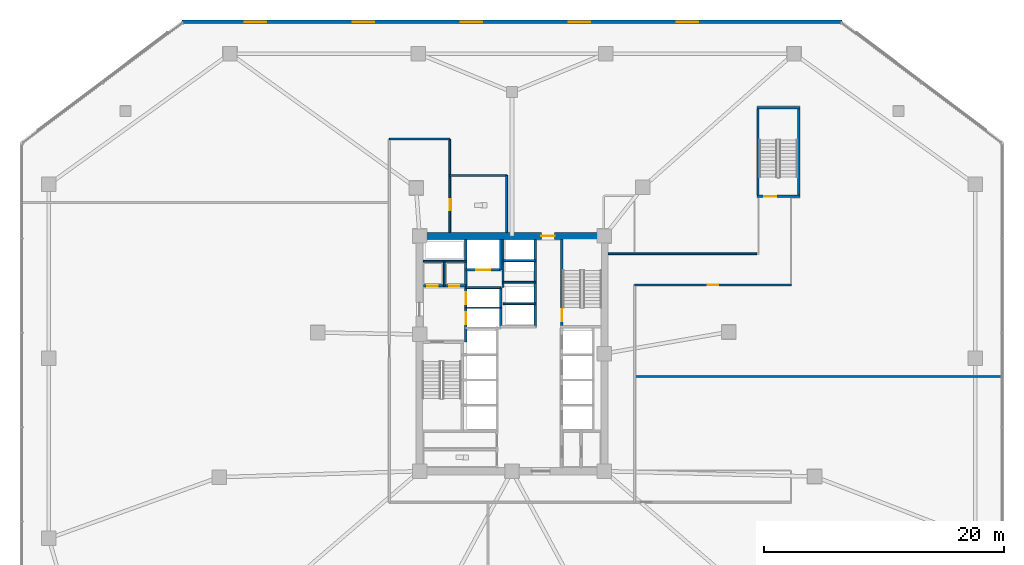
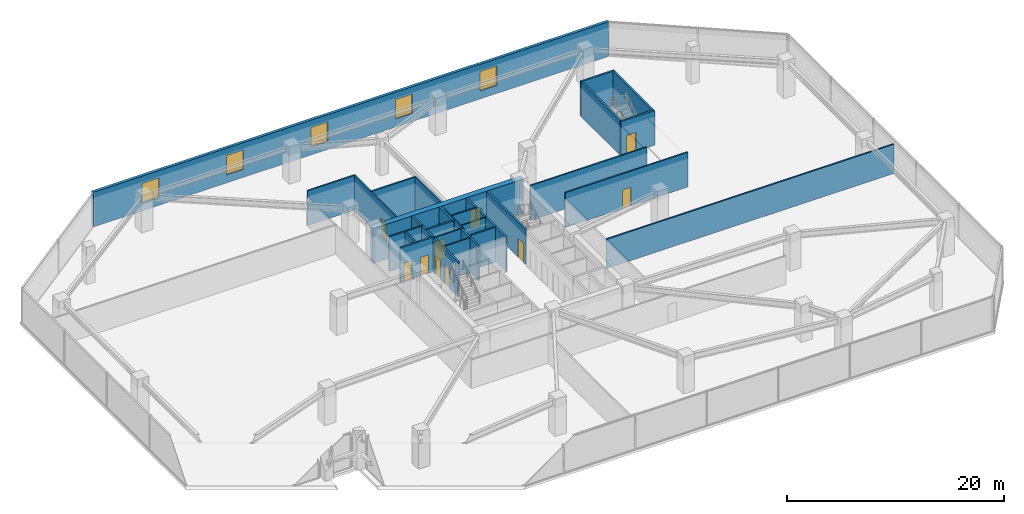
# One storey, part 12 of 21: 28 walls, 10 doors, 5 windows, 15 openings.
"""IFC4 building model written with IfcOpenShell, lengths in metres."""

import ifcopenshell
import ifcopenshell.guid

model = None  # the IFC model being written
_history = None  # IfcOwnerHistory: only IFC2X3 demands one
_inside = {}  # id of a spatial element -> (the spatial element, [elements in it])
_under = {}  # id of a project, library or spatial element -> (it, [spatial elements below it])
_declared = {}  # id of a project -> (the project, [libraries it declares])
_typed = {}  # id of a type object -> (the type object, [elements of that type])
_made_of = {}  # id of a material, layer set ... -> (it, [elements and type objects made of it])


def new_model(schema):
    """Start an empty IFC model of exactly this schema.

    Asked for "IFC4X3", IfcOpenShell would pick the latest addendum, in which some entities
    have other attributes; the version numbers below select the first issue.
    IFC2X3 requires an IfcOwnerHistory on every rooted entity: one is made here for all.
    """
    global model, _history
    if schema == "IFC4X3":
        model = ifcopenshell.file(schema_version=(4, 3, 0, 0))
    else:
        model = ifcopenshell.file(schema=schema)
    _inside.clear()
    _under.clear()
    _declared.clear()
    _typed.clear()
    _made_of.clear()
    _history = None
    if model.schema == "IFC2X3":
        org = make("IfcOrganization", Name="unknown")
        user = make(
            "IfcPersonAndOrganization",
            ThePerson=make("IfcPerson", FamilyName="unknown"),
            TheOrganization=org,
        )
        app = make(
            "IfcApplication",
            ApplicationDeveloper=org,
            Version="unknown",
            ApplicationFullName="unknown",
            ApplicationIdentifier="unknown",
        )
        _history = make(
            "IfcOwnerHistory",
            OwningUser=user,
            OwningApplication=app,
            ChangeAction="ADDED",
            CreationDate=0,
        )
    return model


def make(cls, **values):
    """One entity of the class cls with the attributes given. An attribute that is None is left unset."""
    return model.create_entity(
        cls, **{name: value for name, value in values.items() if value is not None}
    )


def rooted(cls, **values):
    """An entity with a GlobalId (a new one), such as an element, a storey or a relation."""
    return make(cls, GlobalId=ifcopenshell.guid.new(), OwnerHistory=_history, **values)


def si_unit(unit_type, name, prefix=None):
    """IfcSIUnit, for example si_unit("LENGTHUNIT", "METRE", prefix="MILLI")."""
    return make("IfcSIUnit", UnitType=unit_type, Prefix=prefix, Name=name)


def assignment(units):
    """IfcUnitAssignment: the units of a project."""
    return None if units is None else make("IfcUnitAssignment", Units=units)


def point(xyz):
    """IfcCartesianPoint."""
    return None if xyz is None else make("IfcCartesianPoint", Coordinates=xyz)


def direction(xyz):
    """IfcDirection."""
    return None if xyz is None else make("IfcDirection", DirectionRatios=xyz)


def frame(location, z_axis=None, x_axis=None):
    """IfcAxis2Placement3D, a coordinate frame: its origin and axes. An axis left out is left unset."""
    return make(
        "IfcAxis2Placement3D",
        Location=point(location),
        Axis=direction(z_axis),
        RefDirection=direction(x_axis),
    )


def frame_2d(location, x_axis=None):
    """IfcAxis2Placement2D, a coordinate frame in the plane: its origin and x axis."""
    return make(
        "IfcAxis2Placement2D", Location=point(location), RefDirection=direction(x_axis)
    )


def origin():
    """The frame at (0, 0, 0) with its axes left unset."""
    return frame((0.0, 0.0, 0.0))


def place(relative_to, where):
    """IfcLocalPlacement: puts the frame where relative to a parent placement (None: the world)."""
    return make(
        "IfcLocalPlacement", PlacementRelTo=relative_to, RelativePlacement=where
    )


def context(
    kind, dimensions, precision=None, world=None, true_north=None, identifier=None
):
    """IfcGeometricRepresentationContext, for example the 3D "Model" context."""
    return make(
        "IfcGeometricRepresentationContext",
        ContextIdentifier=identifier,
        ContextType=kind,
        CoordinateSpaceDimension=dimensions,
        Precision=precision,
        WorldCoordinateSystem=world,
        TrueNorth=true_north,
    )


def subcontext(parent, identifier, kind, view, scale=None):
    """IfcGeometricRepresentationSubContext, for example "Body" below "Model"."""
    return make(
        "IfcGeometricRepresentationSubContext",
        ContextIdentifier=identifier,
        ContextType=kind,
        ParentContext=parent,
        TargetScale=scale,
        TargetView=view,
    )


def project(units=None, contexts=None):
    """IfcProject with its units and contexts."""
    return rooted(
        "IfcProject",
        Name="project",
        RepresentationContexts=contexts,
        UnitsInContext=assignment(units),
    )


def spatial(cls, under=None, at=None, **own):
    """A site, building, storey or space (cls), placed at a placement, below another one or the project."""
    s = rooted(cls, ObjectPlacement=at, **own)
    if under is not None:
        _under.setdefault(under.id(), (under, []))[1].append(s)
    return s


def profile(cls, at=None, kind="AREA", **sizes):
    """A parametric profile (cls). Its sizes go by their IFC names, for example OverallWidth=200.0."""
    return make(cls, ProfileType=kind, Position=at, **sizes)


def rectangle(**sizes):
    """IfcRectangleProfileDef."""
    return profile("IfcRectangleProfileDef", **sizes)


def extrude(swept, where, along, depth):
    """IfcExtrudedAreaSolid: the profile swept, set in the frame where, extruded along a direction by depth."""
    return make(
        "IfcExtrudedAreaSolid",
        SweptArea=swept,
        Position=where,
        ExtrudedDirection=direction(along),
        Depth=depth,
    )


def shape(context_of_items, identifier, shape_type, items):
    """IfcShapeRepresentation: the items that make up one representation, for example the "Body"."""
    return make(
        "IfcShapeRepresentation",
        ContextOfItems=context_of_items,
        RepresentationIdentifier=identifier,
        RepresentationType=shape_type,
        Items=items,
    )


def material(Name=None, Category=None):
    """IfcMaterial."""
    return make("IfcMaterial", Name=Name, Category=Category)


def layer(
    of_material, thickness, ventilated=None, Name=None, Category=None, Priority=None
):
    """IfcMaterialLayer: one layer of a wall or slab, of a material (None: an air gap)."""
    return make(
        "IfcMaterialLayer",
        Material=of_material,
        LayerThickness=thickness,
        IsVentilated=ventilated,
        Name=Name,
        Category=Category,
        Priority=Priority,
    )


def layer_set(layers, Name=None):
    """IfcMaterialLayerSet."""
    return make("IfcMaterialLayerSet", MaterialLayers=layers, LayerSetName=Name)


def made_of(thing, what):
    """Note that an element or type object is made of a material, layer set ...; save() writes the relation."""
    if what is not None:
        _made_of.setdefault(what.id(), (what, []))[1].append(thing)
    return thing


def type_object(cls, material=None, **own):
    """A type object (cls), such as IfcWallType, which elements share."""
    return made_of(rooted(cls, **own), material)


def element(
    cls,
    number,
    at=None,
    inside=None,
    cuts=None,
    type_object=None,
    material=None,
    context=None,
    identifier="Body",
    shape_type=None,
    held_by="IfcProductDefinitionShape",
    body=None,
    shapes=None,
    **own,
):
    """One element of the class cls, such as IfcWall. Its Tag is "e" and its number.

    at: its placement. inside: the storey or other place that contains it. cuts: it is an
    opening in that element (IfcRelVoidsElement). A single representation is given by context,
    identifier, shape_type and body (its items); several are given by shapes. held_by: the class
    of the entity that holds the representations. save() writes the other relations.
    """
    e = rooted(cls, Tag="e%d" % number, ObjectPlacement=at, **own)
    if body is not None:
        shapes = [shape(context, identifier, shape_type, body)]
    if shapes is not None:
        e.Representation = make(held_by, Representations=shapes)
    if inside is not None:
        _inside.setdefault(inside.id(), (inside, []))[1].append(e)
    if cuts is not None:
        rooted(
            "IfcRelVoidsElement", RelatingBuildingElement=cuts, RelatedOpeningElement=e
        )
    if type_object is not None:
        _typed.setdefault(type_object.id(), (type_object, []))[1].append(e)
    return made_of(e, material)


def fill(opening, filler):
    """IfcRelFillsElement: the door or window that sits in an opening."""
    return rooted(
        "IfcRelFillsElement",
        RelatingOpeningElement=opening,
        RelatedBuildingElement=filler,
    )


def aggregate(whole, parts):
    """IfcRelAggregates: a whole, such as a stair, and the parts it consists of."""
    return rooted("IfcRelAggregates", RelatingObject=whole, RelatedObjects=parts)


def save(model, path):
    """Write the relations noted so far, then the file.

    IfcRelAggregates (storeys below a building ...), IfcRelContainedInSpatialStructure (elements
    in a storey), IfcRelDefinesByType, IfcRelAssociatesMaterial and IfcRelDeclares: one each for
    every whole, place, type object, material and project.
    """
    for whole, parts in _under.values():
        aggregate(whole, parts)
    for where, things in _inside.values():
        rooted(
            "IfcRelContainedInSpatialStructure",
            RelatedElements=things,
            RelatingStructure=where,
        )
    for kind, things in _typed.values():
        rooted("IfcRelDefinesByType", RelatedObjects=things, RelatingType=kind)
    for what, things in _made_of.values():
        rooted("IfcRelAssociatesMaterial", RelatedObjects=things, RelatingMaterial=what)
    for by, libraries in _declared.values():
        rooted("IfcRelDeclares", RelatingContext=by, RelatedDefinitions=libraries)
    model.write(path)


model = new_model("IFC4")

# Units and contexts
model_context = context("Model", 3, precision=1e-05, world=origin(), true_north=direction((0.0, 1.0)))
body_context = subcontext(model_context, "Body", "Model", "MODEL_VIEW")
ifc_project = project(units=[si_unit("LENGTHUNIT", "METRE"), si_unit("AREAUNIT", "SQUARE_METRE"), si_unit("VOLUMEUNIT", "CUBIC_METRE"), si_unit("PLANEANGLEUNIT", "RADIAN"), si_unit("MASSUNIT", "GRAM", prefix="KILO")], contexts=[model_context])

# Site, building, storey
site_placement = place(None, origin())
site = spatial("IfcSite", under=ifc_project, at=site_placement, CompositionType="ELEMENT")
building_placement = place(site_placement, origin())
building = spatial("IfcBuilding", under=site, at=building_placement, Name="Savorim Split Tower", CompositionType="ELEMENT")
storey_placement = place(building_placement, frame((0.0, 0.0, 5.0)))
storey = spatial("IfcBuildingStorey", under=building, at=storey_placement, Name="L01", CompositionType="ELEMENT", Elevation=5.0)

# Wall, opening, door
ifc_material_1 = material(Name="Concrete C60/75", Category="concrete")
ifc_layer_1 = layer(ifc_material_1, 0.60009765625)
ifc_layer_set_1 = layer_set([ifc_layer_1], Name="WAL-COR-SH600")
wall_type_1 = type_object("IfcWallType", Name="WAL-COR-SH600", PredefinedType="SHEAR", material=ifc_layer_set_1)
wall_1_placement = place(storey_placement, frame((8.0, 10.199951171875, 0.0), z_axis=(0.0, 0.0, 1.0), x_axis=(-1.0, 0.0, 0.0)))
wall_1 = element("IfcWall", 1, at=wall_1_placement, inside=storey, type_object=wall_type_1, Name="L01 Offset Core North Shear Wall", PredefinedType="SHEAR", context=body_context, shape_type="SweptSolid", body=[
    extrude(rectangle(XDim=16.0, YDim=0.60009765625, at=frame_2d((8.0, 0.0))), origin(), (0.0, 0.0, 1.0), 3.919921875),
])
opening_1_placement = place(wall_1_placement, frame((4.449951171875, 0.0, 0.0)))
opening_1 = element("IfcOpeningElement", 2, at=opening_1_placement, cuts=wall_1, Name="Opening DI-03", PredefinedType="OPENING", context=body_context, shape_type="SweptSolid", body=[
    extrude(rectangle(XDim=1.10009765625, YDim=2.14990234375, at=frame_2d((0.550048828125, 1.074951171875))), frame((0.0, 0.31005859375, 0.0), z_axis=(0.0, -1.0, 0.0), x_axis=(1.0, 0.0, 0.0)), (0.0, 0.0, 1.0), 0.6201171875),
])
ifc_material_2 = material(Name="Timber Fire Door Leaf", Category="wood")
door_type_1 = type_object("IfcDoorType", Name="DOR-FIR-1100", OperationType="NOTDEFINED", PredefinedType="DOOR", material=ifc_material_2)
door_1_placement = place(opening_1_placement, origin())
door_1 = element("IfcDoor", 3, at=door_1_placement, inside=storey, type_object=door_type_1, Name="DOR-L01-COR-NLOB - L01 North Corridor Lobby Fire Door", OperationType="SINGLE_SWING_RIGHT", OverallHeight=2.14990234375, OverallWidth=1.10009765625, PredefinedType="DOOR", context=body_context, shape_type="SweptSolid", body=[
    extrude(rectangle(XDim=1.10009765625, YDim=2.14990234375, at=frame_2d((0.550048828125, 1.074951171875))), frame((0.0, 0.02490234375, 0.0), z_axis=(0.0, -1.0, 0.0), x_axis=(1.0, 0.0, 0.0)), (0.0, 0.0, 1.0), 0.050048828125),
])
fill(opening_1, door_1)

# Wall, openings, windows
ifc_material_3 = material(Name="Concrete C50/60", Category="concrete")
ifc_layer_2 = layer(ifc_material_3, 0.300048828125)
ifc_layer_set_2 = layer_set([ifc_layer_2], Name="WAL-EXT-POD300")
wall_type_2 = type_object("IfcWallType", Name="WAL-EXT-POD300", PredefinedType="SOLIDWALL", material=ifc_layer_set_2)
wall_2_placement = place(storey_placement, frame((-27.47998046875, 28.0400390625, 0.0), z_axis=(0.0, 0.0, 1.0), x_axis=(1.0, 0.0, 0.0)))
wall_2 = element("IfcWall", 4, at=wall_2_placement, inside=storey, type_object=wall_type_2, Name="L01 North Podium Window Wall", PredefinedType="SOLIDWALL", context=body_context, shape_type="SweptSolid", body=[
    extrude(rectangle(XDim=54.9599609375, YDim=0.300048828125, at=frame_2d((27.47998046875, 0.0))), origin(), (0.0, 0.0, 1.0), 3.919921875),
])
opening_2_placement = place(wall_2_placement, frame((5.199951171875, 0.0, 0.89990234375)))
opening_2 = element("IfcOpeningElement", 5, at=opening_2_placement, cuts=wall_2, Name="Opening WN-03", PredefinedType="OPENING", context=body_context, shape_type="SweptSolid", body=[
    extrude(rectangle(XDim=1.800048828125, YDim=2.199951171875, at=frame_2d((0.89990234375, 1.10009765625))), frame((0.0, 0.159912109375, 0.0), z_axis=(0.0, -1.0, 0.0), x_axis=(1.0, 0.0, 0.0)), (0.0, 0.0, 1.0), 0.320068359375),
])
opening_3_placement = place(wall_2_placement, frame((14.199951171875, 0.0, 0.89990234375)))
opening_3 = element("IfcOpeningElement", 6, at=opening_3_placement, cuts=wall_2, Name="Opening WN-03", PredefinedType="OPENING", context=body_context, shape_type="SweptSolid", body=[
    extrude(rectangle(XDim=1.800048828125, YDim=2.199951171875, at=frame_2d((0.89990234375, 1.10009765625))), frame((0.0, 0.159912109375, 0.0), z_axis=(0.0, -1.0, 0.0), x_axis=(1.0, 0.0, 0.0)), (0.0, 0.0, 1.0), 0.320068359375),
])
opening_4_placement = place(wall_2_placement, frame((23.199951171875, 0.0, 0.89990234375)))
opening_4 = element("IfcOpeningElement", 7, at=opening_4_placement, cuts=wall_2, Name="Opening WN-03", PredefinedType="OPENING", context=body_context, shape_type="SweptSolid", body=[
    extrude(rectangle(XDim=1.800048828125, YDim=2.199951171875, at=frame_2d((0.89990234375, 1.10009765625))), frame((0.0, 0.159912109375, 0.0), z_axis=(0.0, -1.0, 0.0), x_axis=(1.0, 0.0, 0.0)), (0.0, 0.0, 1.0), 0.320068359375),
])
opening_5_placement = place(wall_2_placement, frame((32.199951171875, 0.0, 0.89990234375)))
opening_5 = element("IfcOpeningElement", 8, at=opening_5_placement, cuts=wall_2, Name="Opening WN-03", PredefinedType="OPENING", context=body_context, shape_type="SweptSolid", body=[
    extrude(rectangle(XDim=1.800048828125, YDim=2.199951171875, at=frame_2d((0.89990234375, 1.10009765625))), frame((0.0, 0.159912109375, 0.0), z_axis=(0.0, -1.0, 0.0), x_axis=(1.0, 0.0, 0.0)), (0.0, 0.0, 1.0), 0.320068359375),
])
opening_6_placement = place(wall_2_placement, frame((41.199951171875, 0.0, 0.89990234375)))
opening_6 = element("IfcOpeningElement", 9, at=opening_6_placement, cuts=wall_2, Name="Opening WN-03", PredefinedType="OPENING", context=body_context, shape_type="SweptSolid", body=[
    extrude(rectangle(XDim=1.800048828125, YDim=2.199951171875, at=frame_2d((0.89990234375, 1.10009765625))), frame((0.0, 0.159912109375, 0.0), z_axis=(0.0, -1.0, 0.0), x_axis=(1.0, 0.0, 0.0)), (0.0, 0.0, 1.0), 0.320068359375),
])
ifc_material_4 = material(Name="Low-E Operable Double Glazing", Category="glass")
window_type = type_object("IfcWindowType", Name="WIN-POD-1800x2200", PartitioningType="DOUBLE_PANEL_VERTICAL", PredefinedType="WINDOW", material=ifc_material_4)
window_1_placement = place(opening_2_placement, origin())
window_1 = element("IfcWindow", 10, at=window_1_placement, inside=storey, type_object=window_type, Name="L01 North Podium Operable Window 1", OverallHeight=2.199951171875, OverallWidth=1.800048828125, PartitioningType="SINGLE_PANEL", PredefinedType="WINDOW", context=body_context, shape_type="SweptSolid", body=[
    extrude(rectangle(XDim=1.800048828125, YDim=2.199951171875, at=frame_2d((0.89990234375, 1.10009765625))), frame((0.0, 0.030029296875, 0.0), z_axis=(0.0, -1.0, 0.0), x_axis=(1.0, 0.0, 0.0)), (0.0, 0.0, 1.0), 0.06005859375),
])
fill(opening_2, window_1)
window_2_placement = place(opening_3_placement, origin())
window_2 = element("IfcWindow", 11, at=window_2_placement, inside=storey, type_object=window_type, Name="L01 North Podium Operable Window 2", OverallHeight=2.199951171875, OverallWidth=1.800048828125, PartitioningType="SINGLE_PANEL", PredefinedType="WINDOW", context=body_context, shape_type="SweptSolid", body=[
    extrude(rectangle(XDim=1.800048828125, YDim=2.199951171875, at=frame_2d((0.89990234375, 1.10009765625))), frame((0.0, 0.030029296875, 0.0), z_axis=(0.0, -1.0, 0.0), x_axis=(1.0, 0.0, 0.0)), (0.0, 0.0, 1.0), 0.06005859375),
])
fill(opening_3, window_2)
window_3_placement = place(opening_4_placement, origin())
window_3 = element("IfcWindow", 12, at=window_3_placement, inside=storey, type_object=window_type, Name="L01 North Podium Operable Window 3", OverallHeight=2.199951171875, OverallWidth=1.800048828125, PartitioningType="SINGLE_PANEL", PredefinedType="WINDOW", context=body_context, shape_type="SweptSolid", body=[
    extrude(rectangle(XDim=1.800048828125, YDim=2.199951171875, at=frame_2d((0.89990234375, 1.10009765625))), frame((0.0, 0.030029296875, 0.0), z_axis=(0.0, -1.0, 0.0), x_axis=(1.0, 0.0, 0.0)), (0.0, 0.0, 1.0), 0.06005859375),
])
fill(opening_4, window_3)
window_4_placement = place(opening_5_placement, origin())
window_4 = element("IfcWindow", 13, at=window_4_placement, inside=storey, type_object=window_type, Name="L01 North Podium Operable Window 4", OverallHeight=2.199951171875, OverallWidth=1.800048828125, PartitioningType="SINGLE_PANEL", PredefinedType="WINDOW", context=body_context, shape_type="SweptSolid", body=[
    extrude(rectangle(XDim=1.800048828125, YDim=2.199951171875, at=frame_2d((0.89990234375, 1.10009765625))), frame((0.0, 0.030029296875, 0.0), z_axis=(0.0, -1.0, 0.0), x_axis=(1.0, 0.0, 0.0)), (0.0, 0.0, 1.0), 0.06005859375),
])
fill(opening_5, window_4)
window_5_placement = place(opening_6_placement, origin())
window_5 = element("IfcWindow", 14, at=window_5_placement, inside=storey, type_object=window_type, Name="L01 North Podium Operable Window 5", OverallHeight=2.199951171875, OverallWidth=1.800048828125, PartitioningType="SINGLE_PANEL", PredefinedType="WINDOW", context=body_context, shape_type="SweptSolid", body=[
    extrude(rectangle(XDim=1.800048828125, YDim=2.199951171875, at=frame_2d((0.89990234375, 1.10009765625))), frame((0.0, 0.030029296875, 0.0), z_axis=(0.0, -1.0, 0.0), x_axis=(1.0, 0.0, 0.0)), (0.0, 0.0, 1.0), 0.06005859375),
])
fill(opening_6, window_5)

# Wall, openings, doors
ifc_layer_3 = layer(ifc_material_3, 0.199951171875)
ifc_layer_set_3 = layer_set([ifc_layer_3], Name="WAL-INT-RC200")
wall_type_3 = type_object("IfcWallType", Name="WAL-INT-RC200", PredefinedType="SOLIDWALL", material=ifc_layer_set_3)
wall_3_placement = place(storey_placement, frame((-3.85009765625, 1.35009765625, 0.0), z_axis=(0.0, 0.0, 1.0), x_axis=(0.0, 1.0, 0.0)))
wall_3 = element("IfcWall", 15, at=wall_3_placement, inside=storey, type_object=wall_type_3, Name="L01 Partition W-L01-CR03", PredefinedType="SOLIDWALL", context=body_context, shape_type="SweptSolid", body=[
    extrude(rectangle(XDim=8.544921875, YDim=0.199951171875, at=frame_2d((4.2724609375, 0.0))), origin(), (0.0, 0.0, 1.0), 3.919921875),
])
opening_7_placement = place(wall_3_placement, frame((1.5, 0.0, 0.0)))
opening_7 = element("IfcOpeningElement", 16, at=opening_7_placement, cuts=wall_3, Name="Opening LD-FFL", PredefinedType="OPENING", context=body_context, shape_type="SweptSolid", body=[
    extrude(rectangle(XDim=1.0, YDim=2.14990234375, at=frame_2d((0.5, 1.074951171875))), frame((0.0, 0.10986328125, 0.0), z_axis=(0.0, -1.0, 0.0), x_axis=(1.0, 0.0, 0.0)), (0.0, 0.0, 1.0), 0.219970703125),
])
opening_8_placement = place(wall_3_placement, frame((3.179931640625, 0.0, 0.0)))
opening_8 = element("IfcOpeningElement", 17, at=opening_8_placement, cuts=wall_3, Name="Opening LD-FFL", PredefinedType="OPENING", context=body_context, shape_type="SweptSolid", body=[
    extrude(rectangle(XDim=1.0, YDim=2.14990234375, at=frame_2d((0.5, 1.074951171875))), frame((0.0, 0.10986328125, 0.0), z_axis=(0.0, -1.0, 0.0), x_axis=(1.0, 0.0, 0.0)), (0.0, 0.0, 1.0), 0.219970703125),
])
ifc_material_5 = material(Name="Charcoal Anodised Aluminium", Category="aluminium")
door_type_2 = type_object("IfcDoorType", Name="DOR-SLD-LD1000", OperationType="NOTDEFINED", PredefinedType="DOOR", material=ifc_material_5)
door_2_placement = place(opening_7_placement, origin())
door_2 = element("IfcDoor", 18, at=door_2_placement, inside=storey, type_object=door_type_2, Name="DR-L01-LD-FFL1 - L01 Firefighting Lift FFL-1 Sliding Landing Door", OperationType="DOUBLE_DOOR_SLIDING", OverallHeight=2.14990234375, OverallWidth=1.0, PredefinedType="DOOR", context=body_context, shape_type="SweptSolid", body=[
    extrude(rectangle(XDim=1.0, YDim=2.14990234375, at=frame_2d((0.5, 1.074951171875))), frame((0.0, 0.02490234375, 0.0), z_axis=(0.0, -1.0, 0.0), x_axis=(1.0, 0.0, 0.0)), (0.0, 0.0, 1.0), 0.050048828125),
])
fill(opening_7, door_2)
door_3_placement = place(opening_8_placement, origin())
door_3 = element("IfcDoor", 19, at=door_3_placement, inside=storey, type_object=door_type_2, Name="DR-L01-LD-FFL2 - L01 Firefighting Lift FFL-2 Sliding Landing Door", OperationType="DOUBLE_DOOR_SLIDING", OverallHeight=2.14990234375, OverallWidth=1.0, PredefinedType="DOOR", context=body_context, shape_type="SweptSolid", body=[
    extrude(rectangle(XDim=1.0, YDim=2.14990234375, at=frame_2d((0.5, 1.074951171875))), frame((0.0, 0.02490234375, 0.0), z_axis=(0.0, -1.0, 0.0), x_axis=(1.0, 0.0, 0.0)), (0.0, 0.0, 1.0), 0.050048828125),
])
fill(opening_8, door_3)

wall_4_placement = place(storey_placement, frame((-7.39501953125, 6.050048828125, 0.0), z_axis=(0.0, 0.0, 1.0), x_axis=(1.0, 0.0, 0.0)))
wall_4 = element("IfcWall", 20, at=wall_4_placement, inside=storey, type_object=wall_type_3, Name="L01 Partition W-L01-CR04", PredefinedType="SOLIDWALL", context=body_context, shape_type="SweptSolid", body=[
    extrude(rectangle(XDim=3.544921875, YDim=0.199951171875, at=frame_2d((1.7724609375, 0.0))), origin(), (0.0, 0.0, 1.0), 3.919921875),
])
opening_9_placement = place(wall_4_placement, frame((0.344970703125, 0.0, 0.0)))
opening_9 = element("IfcOpeningElement", 21, at=opening_9_placement, cuts=wall_4, Name="Opening DI-12", PredefinedType="OPENING", context=body_context, shape_type="SweptSolid", body=[
    extrude(rectangle(XDim=0.85009765625, YDim=2.10009765625, at=frame_2d((0.425048828125, 1.050048828125))), frame((0.0, 0.10986328125, 0.0), z_axis=(0.0, -1.0, 0.0), x_axis=(1.0, 0.0, 0.0)), (0.0, 0.0, 1.0), 0.219970703125),
])
opening_10_placement = place(wall_4_placement, frame((2.14501953125, 0.0, 0.0)))
opening_10 = element("IfcOpeningElement", 22, at=opening_10_placement, cuts=wall_4, Name="Opening DI-12", PredefinedType="OPENING", context=body_context, shape_type="SweptSolid", body=[
    extrude(rectangle(XDim=0.85009765625, YDim=2.10009765625, at=frame_2d((0.425048828125, 1.050048828125))), frame((0.0, 0.10986328125, 0.0), z_axis=(0.0, -1.0, 0.0), x_axis=(1.0, 0.0, 0.0)), (0.0, 0.0, 1.0), 0.219970703125),
])
ifc_material_6 = material(Name="Galvanised Painted Steel Balustrade", Category="steel")
door_type_3 = type_object("IfcDoorType", Name="DOR-RIS-850", OperationType="NOTDEFINED", PredefinedType="DOOR", material=ifc_material_6)
door_4_placement = place(opening_9_placement, origin())
door_4 = element("IfcDoor", 23, at=door_4_placement, inside=storey, type_object=door_type_3, Name="DR-L01-ELR - L01 Electrical Riser Access Door", OperationType="SINGLE_SWING_RIGHT", OverallHeight=2.10009765625, OverallWidth=0.85009765625, PredefinedType="DOOR", context=body_context, shape_type="SweptSolid", body=[
    extrude(rectangle(XDim=0.85009765625, YDim=2.10009765625, at=frame_2d((0.425048828125, 1.050048828125))), frame((0.0, 0.02490234375, 0.0), z_axis=(0.0, -1.0, 0.0), x_axis=(1.0, 0.0, 0.0)), (0.0, 0.0, 1.0), 0.050048828125),
])
fill(opening_9, door_4)
door_5_placement = place(opening_10_placement, origin())
door_5 = element("IfcDoor", 24, at=door_5_placement, inside=storey, type_object=door_type_3, Name="DR-L01-TLR - L01 Telecom Riser Access Door", OperationType="SINGLE_SWING_LEFT", OverallHeight=2.10009765625, OverallWidth=0.85009765625, PredefinedType="DOOR", context=body_context, shape_type="SweptSolid", body=[
    extrude(rectangle(XDim=0.85009765625, YDim=2.10009765625, at=frame_2d((0.425048828125, 1.050048828125))), frame((0.0, 0.02490234375, 0.0), z_axis=(0.0, -1.0, 0.0), x_axis=(1.0, 0.0, 0.0)), (0.0, 0.0, 1.0), 0.050048828125),
])
fill(opening_10, door_5)

# Wall, opening, door
wall_5_placement = place(storey_placement, frame((4.14990234375, 2.75, 0.0), z_axis=(0.0, 0.0, 1.0), x_axis=(0.0, 1.0, 0.0)))
wall_5 = element("IfcWall", 25, at=wall_5_placement, inside=storey, type_object=wall_type_3, Name="L01 Structural Shaft Wall W-L01-CR07", PredefinedType="SOLIDWALL", context=body_context, shape_type="SweptSolid", body=[
    extrude(rectangle(XDim=7.14990234375, YDim=0.199951171875, at=frame_2d((3.574951171875, 0.0))), origin(), (0.0, 0.0, 1.0), 3.919921875),
])
opening_11_placement = place(wall_5_placement, frame((0.35009765625, 0.0, 0.0)))
opening_11 = element("IfcOpeningElement", 26, at=opening_11_placement, cuts=wall_5, Name="Opening DI-04", PredefinedType="OPENING", context=body_context, shape_type="SweptSolid", body=[
    extrude(rectangle(XDim=1.0, YDim=2.14990234375, at=frame_2d((0.5, 1.074951171875))), frame((0.0, 0.10986328125, 0.0), z_axis=(0.0, -1.0, 0.0), x_axis=(1.0, 0.0, 0.0)), (0.0, 0.0, 1.0), 0.219970703125),
])
door_type_4 = type_object("IfcDoorType", Name="DOR-FIR-1000", OperationType="NOTDEFINED", PredefinedType="DOOR", material=ifc_material_2)
door_6_placement = place(opening_11_placement, origin())
door_6 = element("IfcDoor", 27, at=door_6_placement, inside=storey, type_object=door_type_4, Name="DR-L01-ST2 - L01 Stair ST-2 Enclosure Door", OperationType="SINGLE_SWING_RIGHT", OverallHeight=2.14990234375, OverallWidth=1.0, PredefinedType="DOOR", context=body_context, shape_type="SweptSolid", body=[
    extrude(rectangle(XDim=1.0, YDim=2.14990234375, at=frame_2d((0.5, 1.074951171875))), frame((0.0, 0.02490234375, 0.0), z_axis=(0.0, -1.0, 0.0), x_axis=(1.0, 0.0, 0.0)), (0.0, 0.0, 1.0), 0.050048828125),
])
fill(opening_11, door_6)

# Wall
wall_6_placement = place(storey_placement, frame((-0.949951171875, 2.64990234375, 0.0), z_axis=(0.0, 0.0, 1.0), x_axis=(0.0, 1.0, 0.0)))
element("IfcWall", 28, at=wall_6_placement, inside=storey, type_object=wall_type_3, Name="L01 Partition W-L01-FFLW", PredefinedType="SOLIDWALL", context=body_context, shape_type="SweptSolid", body=[
    extrude(rectangle(XDim=3.27001953125, YDim=0.199951171875, at=frame_2d((1.635009765625, 0.0))), origin(), (0.0, 0.0, 1.0), 3.919921875),
])

# Wall, opening, door
wall_7_placement = place(storey_placement, frame((-3.85009765625, 7.3798828125, 0.0), z_axis=(0.0, 0.0, 1.0), x_axis=(1.0, 0.0, 0.0)))
wall_7 = element("IfcWall", 29, at=wall_7_placement, inside=storey, type_object=wall_type_3, Name="L01 Partition W-L01-SVLS", PredefinedType="SOLIDWALL", context=body_context, shape_type="SweptSolid", body=[
    extrude(rectangle(XDim=2.900146484375, YDim=0.199951171875, at=frame_2d((1.4501953125, 0.0))), origin(), (0.0, 0.0, 1.0), 3.919921875),
])
opening_12_placement = place(wall_7_placement, frame((0.85009765625, 0.0, 0.0)))
opening_12 = element("IfcOpeningElement", 30, at=opening_12_placement, cuts=wall_7, Name="Opening LD-SV", PredefinedType="OPENING", context=body_context, shape_type="SweptSolid", body=[
    extrude(rectangle(XDim=1.199951171875, YDim=2.199951171875, at=frame_2d((0.60009765625, 1.10009765625))), frame((0.0, 0.10986328125, 0.0), z_axis=(0.0, -1.0, 0.0), x_axis=(1.0, 0.0, 0.0)), (0.0, 0.0, 1.0), 0.219970703125),
])
door_type_5 = type_object("IfcDoorType", Name="DOR-SLD-SV1200", OperationType="NOTDEFINED", PredefinedType="DOOR", material=ifc_material_5)
door_7_placement = place(opening_12_placement, origin())
door_7 = element("IfcDoor", 31, at=door_7_placement, inside=storey, type_object=door_type_5, Name="DR-L01-LD-SVL1 - L01 Service Lift SVL-1 Sliding Landing Door", OperationType="DOUBLE_DOOR_SLIDING", OverallHeight=2.199951171875, OverallWidth=1.199951171875, PredefinedType="DOOR", context=body_context, shape_type="SweptSolid", body=[
    extrude(rectangle(XDim=1.199951171875, YDim=2.199951171875, at=frame_2d((0.60009765625, 1.10009765625))), frame((0.0, 0.02490234375, 0.0), z_axis=(0.0, -1.0, 0.0), x_axis=(1.0, 0.0, 0.0)), (0.0, 0.0, 1.0), 0.050048828125),
])
fill(opening_12, door_7)

# Walls
wall_8_placement = place(storey_placement, frame((-0.949951171875, 7.3798828125, 0.0), z_axis=(0.0, 0.0, 1.0), x_axis=(0.0, 1.0, 0.0)))
element("IfcWall", 32, at=wall_8_placement, inside=storey, type_object=wall_type_3, Name="L01 Partition W-L01-SVLE", PredefinedType="SOLIDWALL", context=body_context, shape_type="SweptSolid", body=[
    extrude(rectangle(XDim=2.51513671875, YDim=0.199951171875, at=frame_2d((1.257568359375, 0.0))), origin(), (0.0, 0.0, 1.0), 3.919921875),
])
wall_9_placement = place(storey_placement, frame((1.949951171875, 2.64990234375, 0.0), z_axis=(0.0, 0.0, 1.0), x_axis=(0.0, 1.0, 0.0)))
element("IfcWall", 33, at=wall_9_placement, inside=storey, type_object=wall_type_3, Name="L01 Partition W-L01-B3FRONT", PredefinedType="SOLIDWALL", context=body_context, shape_type="SweptSolid", body=[
    extrude(rectangle(XDim=7.2451171875, YDim=0.199951171875, at=frame_2d((3.62255859375, 0.0))), origin(), (0.0, 0.0, 1.0), 3.919921875),
])

# Wall, opening, door
wall_10_placement = place(storey_placement, frame((20.39990234375, 13.5, 0.0), z_axis=(0.0, 0.0, 1.0), x_axis=(1.0, 0.0, 0.0)))
wall_10 = element("IfcWall", 34, at=wall_10_placement, inside=storey, type_object=wall_type_3, Name="L01 Structural Shaft Wall W-L01-ST3S", PredefinedType="SOLIDWALL", context=body_context, shape_type="SweptSolid", body=[
    extrude(rectangle(XDim=3.60009765625, YDim=0.199951171875, at=frame_2d((1.800048828125, 0.0))), origin(), (0.0, 0.0, 1.0), 3.919921875),
])
opening_13_placement = place(wall_10_placement, frame((0.60009765625, 0.0, 0.0)))
opening_13 = element("IfcOpeningElement", 35, at=opening_13_placement, cuts=wall_10, Name="Opening DI-04", PredefinedType="OPENING", context=body_context, shape_type="SweptSolid", body=[
    extrude(rectangle(XDim=1.0, YDim=2.14990234375, at=frame_2d((0.5, 1.074951171875))), frame((0.0, 0.10986328125, 0.0), z_axis=(0.0, -1.0, 0.0), x_axis=(1.0, 0.0, 0.0)), (0.0, 0.0, 1.0), 0.219970703125),
])
door_8_placement = place(opening_13_placement, origin())
door_8 = element("IfcDoor", 36, at=door_8_placement, inside=storey, type_object=door_type_4, Name="DR-L01-ST3 - L01 Stair ST-3 Enclosure Door", OperationType="SINGLE_SWING_RIGHT", OverallHeight=2.14990234375, OverallWidth=1.0, PredefinedType="DOOR", context=body_context, shape_type="SweptSolid", body=[
    extrude(rectangle(XDim=1.0, YDim=2.14990234375, at=frame_2d((0.5, 1.074951171875))), frame((0.0, 0.02490234375, 0.0), z_axis=(0.0, -1.0, 0.0), x_axis=(1.0, 0.0, 0.0)), (0.0, 0.0, 1.0), 0.050048828125),
])
fill(opening_13, door_8)

# Walls
wall_11_placement = place(storey_placement, frame((20.39990234375, 20.89990234375, 0.0), z_axis=(0.0, 0.0, 1.0), x_axis=(1.0, 0.0, 0.0)))
element("IfcWall", 37, at=wall_11_placement, inside=storey, type_object=wall_type_3, Name="L01 Structural Shaft Wall W-L01-ST3N", PredefinedType="SOLIDWALL", context=body_context, shape_type="SweptSolid", body=[
    extrude(rectangle(XDim=3.60009765625, YDim=0.199951171875, at=frame_2d((1.800048828125, 0.0))), origin(), (0.0, 0.0, 1.0), 3.919921875),
])
for number, where, z_axis, x_axis, name in (
    (38, (20.5, 13.60009765625, 0.0), (0.0, 0.0, 1.0), (0.0, 1.0, 0.0), "L01 Structural Shaft Wall W-L01-ST3W"),
    (39, (23.89990234375, 13.60009765625, 0.0), (0.0, 0.0, 1.0), (0.0, 1.0, 0.0), "L01 Structural Shaft Wall W-L01-ST3E"),
):
    element("IfcWall", number, at=place(storey_placement, frame(where, z_axis=z_axis, x_axis=x_axis)), inside=storey, type_object=wall_type_3, Name=name, PredefinedType="SOLIDWALL", context=body_context, shape_type="SweptSolid", body=[
        extrude(rectangle(XDim=7.199951171875, YDim=0.199951171875, at=frame_2d((3.60009765625, 0.0))), origin(), (0.0, 0.0, 1.0), 3.919921875),
    ])
ifc_material_7 = material(Name="Acoustic Gypsum Partition Board")
ifc_layer_4 = layer(ifc_material_7, 0.1201171875)
ifc_layer_set_4 = layer_set([ifc_layer_4], Name="WAL-PAR-120")
wall_type_4 = type_object("IfcWallType", Name="WAL-PAR-120", PredefinedType="PARTITIONING", material=ifc_layer_set_4)
wall_12_placement = place(storey_placement, frame((-3.85009765625, 4.219970703125, 0.0), z_axis=(0.0, 0.0, 1.0), x_axis=(1.0, 0.0, 0.0)))
element("IfcWall", 40, at=wall_12_placement, inside=storey, type_object=wall_type_4, Name="L01 Partition W-L01-FFLD1", PredefinedType="PARTITIONING", context=body_context, shape_type="SweptSolid", body=[
    extrude(rectangle(XDim=2.900146484375, YDim=0.1201171875, at=frame_2d((1.4501953125, 0.0))), origin(), (0.0, 0.0, 1.0), 3.919921875),
])
ifc_layer_5 = layer(ifc_material_7, 0.14990234375)
ifc_layer_set_5 = layer_set([ifc_layer_5], Name="WAL-PAR-150")
wall_type_5 = type_object("IfcWallType", Name="WAL-PAR-150", PredefinedType="PARTITIONING", material=ifc_layer_set_5)
wall_13_placement = place(storey_placement, frame((-7.39501953125, 8.10009765625, 0.0), z_axis=(0.0, 0.0, 1.0), x_axis=(1.0, 0.0, 0.0)))
element("IfcWall", 41, at=wall_13_placement, inside=storey, type_object=wall_type_5, Name="L01 Partition W-L01-CR05", PredefinedType="PARTITIONING", context=body_context, shape_type="SweptSolid", body=[
    extrude(rectangle(XDim=3.544921875, YDim=0.14990234375, at=frame_2d((1.7724609375, 0.0))), origin(), (0.0, 0.0, 1.0), 3.919921875),
])
wall_14_placement = place(storey_placement, frame((-5.64990234375, 6.050048828125, 0.0), z_axis=(0.0, 0.0, 1.0), x_axis=(0.0, 1.0, 0.0)))
element("IfcWall", 42, at=wall_14_placement, inside=storey, type_object=wall_type_5, Name="L01 Partition W-L01-CR06", PredefinedType="PARTITIONING", context=body_context, shape_type="SweptSolid", body=[
    extrude(rectangle(XDim=2.050048828125, YDim=0.14990234375, at=frame_2d((1.02490234375, 0.0))), origin(), (0.0, 0.0, 1.0), 3.919921875),
])
wall_15_placement = place(storey_placement, frame((-3.85009765625, 5.89990234375, 0.0), z_axis=(0.0, 0.0, 1.0), x_axis=(1.0, 0.0, 0.0)))
element("IfcWall", 43, at=wall_15_placement, inside=storey, type_object=wall_type_5, Name="L01 Partition W-L01-FFLD2", PredefinedType="PARTITIONING", context=body_context, shape_type="SweptSolid", body=[
    extrude(rectangle(XDim=2.900146484375, YDim=0.14990234375, at=frame_2d((1.4501953125, 0.0))), origin(), (0.0, 0.0, 1.0), 3.919921875),
])
wall_16_placement = place(storey_placement, frame((-0.75, 5.919921875, 0.0), z_axis=(0.0, 0.0, 1.0), x_axis=(0.0, 1.0, 0.0)))
element("IfcWall", 44, at=wall_16_placement, inside=storey, type_object=wall_type_5, Name="L01 Partition W-L01-B3WEST", PredefinedType="PARTITIONING", context=body_context, shape_type="SweptSolid", body=[
    extrude(rectangle(XDim=3.97509765625, YDim=0.14990234375, at=frame_2d((1.987548828125, 0.0))), origin(), (0.0, 0.0, 1.0), 3.919921875),
])
for number, where, z_axis, x_axis, name in (
    (45, (-0.75, 4.550048828125, 0.0), (0.0, 0.0, 1.0), (1.0, 0.0, 0.0), "L01 Partition W-L01-B3DIV1"),
    (46, (-0.75, 6.35009765625, 0.0), (0.0, 0.0, 1.0), (1.0, 0.0, 0.0), "L01 Partition W-L01-B3DIV2"),
    (47, (-0.75, 8.14990234375, 0.0), (0.0, 0.0, 1.0), (1.0, 0.0, 0.0), "L01 Partition W-L01-B3DIV3"),
):
    element("IfcWall", number, at=place(storey_placement, frame(where, z_axis=z_axis, x_axis=x_axis)), inside=storey, type_object=wall_type_5, Name=name, PredefinedType="PARTITIONING", context=body_context, shape_type="SweptSolid", body=[
        extrude(rectangle(XDim=2.699951171875, YDim=0.14990234375, at=frame_2d((1.35009765625, 0.0))), origin(), (0.0, 0.0, 1.0), 3.919921875),
    ])
wall_17_placement = place(storey_placement, frame((-10.219970703125, 18.280029296875, 0.0), z_axis=(0.0, 0.0, 1.0), x_axis=(1.0, 0.0, 0.0)))
element("IfcWall", 48, at=wall_17_placement, inside=storey, type_object=wall_type_5, Name="L01 Partition W-L01-PCNW", PredefinedType="PARTITIONING", context=body_context, shape_type="SweptSolid", body=[
    extrude(rectangle(XDim=5.0400390625, YDim=0.14990234375, at=frame_2d((2.52001953125, 0.0))), origin(), (0.0, 0.0, 1.0), 3.919921875),
])

# Wall, opening, door
wall_18_placement = place(storey_placement, frame((-5.179931640625, 10.5, 0.0), z_axis=(0.0, 0.0, 1.0), x_axis=(0.0, 1.0, 0.0)))
wall_18 = element("IfcWall", 49, at=wall_18_placement, inside=storey, type_object=wall_type_5, Name="L01 Partition W-L01-PCNE0", PredefinedType="PARTITIONING", context=body_context, shape_type="SweptSolid", body=[
    extrude(rectangle(XDim=7.780029296875, YDim=0.14990234375, at=frame_2d((3.89013671875, 0.0))), origin(), (0.0, 0.0, 1.0), 3.919921875),
])
opening_14_placement = place(wall_18_placement, frame((1.848876953125, 0.0, 0.0)))
opening_14 = element("IfcOpeningElement", 50, at=opening_14_placement, cuts=wall_18, Name="Opening DI-11", PredefinedType="OPENING", context=body_context, shape_type="SweptSolid", body=[
    extrude(rectangle(XDim=0.89990234375, YDim=2.10009765625, at=frame_2d((0.449951171875, 1.050048828125))), frame((0.0, 0.0849609375, 0.0), z_axis=(0.0, -1.0, 0.0), x_axis=(1.0, 0.0, 0.0)), (0.0, 0.0, 1.0), 0.169921875),
])
ifc_material_8 = material(Name="Oak Veneer Acoustic Door")
door_type_6 = type_object("IfcDoorType", Name="DOR-WC-900", OperationType="NOTDEFINED", PredefinedType="DOOR", material=ifc_material_8)
door_9_placement = place(opening_14_placement, origin())
door_9 = element("IfcDoor", 51, at=door_9_placement, inside=storey, type_object=door_type_6, Name="DR-L01-RM01 - L01 Public WC Entry Door", OperationType="SINGLE_SWING_RIGHT", OverallHeight=2.10009765625, OverallWidth=0.89990234375, PredefinedType="DOOR", context=body_context, shape_type="SweptSolid", body=[
    extrude(rectangle(XDim=0.89990234375, YDim=2.10009765625, at=frame_2d((0.449951171875, 1.050048828125))), frame((0.0, 0.02490234375, 0.0), z_axis=(0.0, -1.0, 0.0), x_axis=(1.0, 0.0, 0.0)), (0.0, 0.0, 1.0), 0.050048828125),
])
fill(opening_14, door_9)

wall_19_placement = place(storey_placement, frame((10.219970703125, 6.1201171875, 0.0), z_axis=(0.0, 0.0, 1.0), x_axis=(1.0, 0.0, 0.0)))
wall_19 = element("IfcWall", 52, at=wall_19_placement, inside=storey, type_object=wall_type_5, Name="L01 Partition W-L01-PCNE", PredefinedType="PARTITIONING", context=body_context, shape_type="SweptSolid", body=[
    extrude(rectangle(XDim=13.06005859375, YDim=0.14990234375, at=frame_2d((6.530029296875, 0.0))), origin(), (0.0, 0.0, 1.0), 3.919921875),
])
opening_15_placement = place(wall_19_placement, frame((6.080078125, 0.0, 0.0)))
opening_15 = element("IfcOpeningElement", 53, at=opening_15_placement, cuts=wall_19, Name="Opening DI-06", PredefinedType="OPENING", context=body_context, shape_type="SweptSolid", body=[
    extrude(rectangle(XDim=0.89990234375, YDim=2.10009765625, at=frame_2d((0.449951171875, 1.050048828125))), frame((0.0, 0.0849609375, 0.0), z_axis=(0.0, -1.0, 0.0), x_axis=(1.0, 0.0, 0.0)), (0.0, 0.0, 1.0), 0.169921875),
])
door_type_7 = type_object("IfcDoorType", Name="DOR-FIR-900", OperationType="NOTDEFINED", PredefinedType="DOOR", material=ifc_material_2)
door_10_placement = place(opening_15_placement, origin())
door_10 = element("IfcDoor", 54, at=door_10_placement, inside=storey, type_object=door_type_7, Name="DR-L01-RM04 - L01 Study Reading Hall Entry Door", OperationType="SINGLE_SWING_LEFT", OverallHeight=2.10009765625, OverallWidth=0.89990234375, PredefinedType="DOOR", context=body_context, shape_type="SweptSolid", body=[
    extrude(rectangle(XDim=0.89990234375, YDim=2.10009765625, at=frame_2d((0.449951171875, 1.050048828125))), frame((0.0, 0.02490234375, 0.0), z_axis=(0.0, -1.0, 0.0), x_axis=(1.0, 0.0, 0.0)), (0.0, 0.0, 1.0), 0.050048828125),
])
fill(opening_15, door_10)

# Walls
wall_20_placement = place(storey_placement, frame((8.0, 8.719970703125, 0.0), z_axis=(0.0, 0.0, 1.0), x_axis=(1.0, 0.0, 0.0)))
element("IfcWall", 55, at=wall_20_placement, inside=storey, type_object=wall_type_5, Name="L01 Partition W-L01-PCN2", PredefinedType="PARTITIONING", context=body_context, shape_type="SweptSolid", body=[
    extrude(rectangle(XDim=12.39990234375, YDim=0.14990234375, at=frame_2d((6.199951171875, 0.0))), origin(), (0.0, 0.0, 1.0), 3.919921875),
])
wall_21_placement = place(storey_placement, frame((10.219970703125, -1.5, 0.0), z_axis=(0.0, 0.0, 1.0), x_axis=(1.0, 0.0, 0.0)))
element("IfcWall", 56, at=wall_21_placement, inside=storey, type_object=wall_type_5, Name="L01 Partition W-L01-PD2", PredefinedType="PARTITIONING", context=body_context, shape_type="SweptSolid", body=[
    extrude(rectangle(XDim=30.60009765625, YDim=0.14990234375, at=frame_2d((15.300048828125, 0.0))), origin(), (0.0, 0.0, 1.0), 3.304931640625),
])
wall_22_placement = place(storey_placement, frame((-0.449951171875, 10.5, 0.0), z_axis=(0.0, 0.0, 1.0), x_axis=(0.0, 1.0, 0.0)))
element("IfcWall", 57, at=wall_22_placement, inside=storey, type_object=wall_type_5, Name="L01 Partition W-L01-PWCE", PredefinedType="PARTITIONING", context=body_context, shape_type="SweptSolid", body=[
    extrude(rectangle(XDim=4.75, YDim=0.14990234375, at=frame_2d((2.375, 0.0))), origin(), (0.0, 0.0, 1.0), 3.919921875),
])
wall_23_placement = place(storey_placement, frame((-5.179931640625, 15.25, 0.0), z_axis=(0.0, 0.0, 1.0), x_axis=(1.0, 0.0, 0.0)))
element("IfcWall", 58, at=wall_23_placement, inside=storey, type_object=wall_type_5, Name="L01 Partition W-L01-PWCN", PredefinedType="PARTITIONING", context=body_context, shape_type="SweptSolid", body=[
    extrude(rectangle(XDim=4.72998046875, YDim=0.14990234375, at=frame_2d((2.364990234375, 0.0))), origin(), (0.0, 0.0, 1.0), 3.919921875),
])

save(model, "model.ifc")
